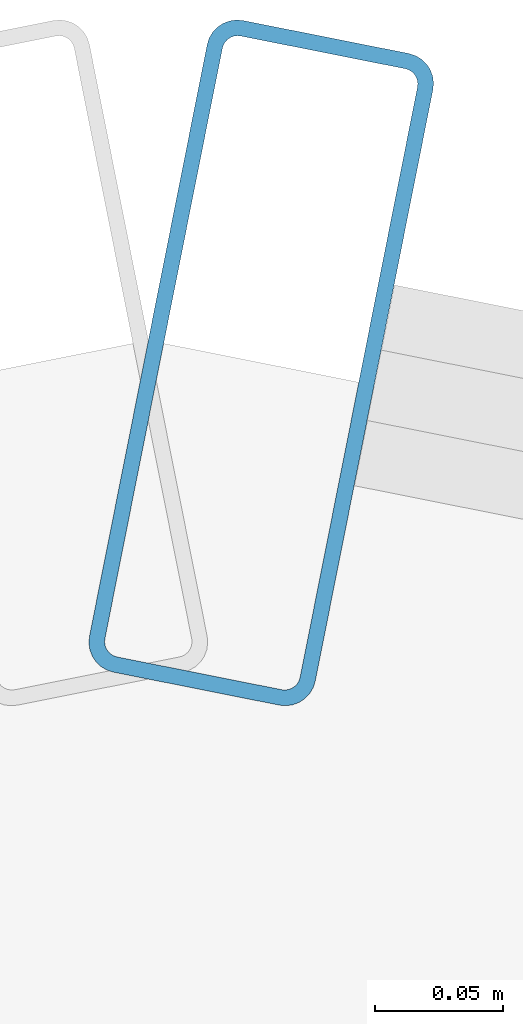
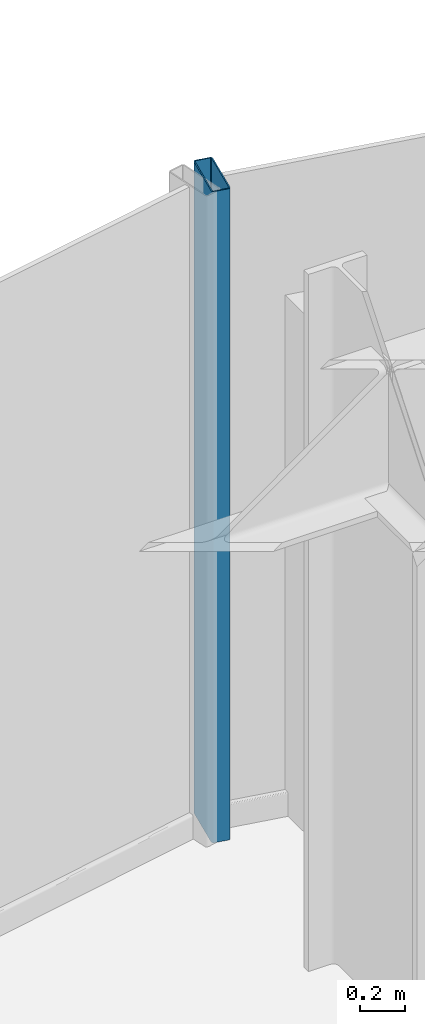
# One storey, part 15 of 26: 1 member, 1 element without a shape of its own.
"""IFC4 building model written with IfcOpenShell, lengths in metres."""

from ifc_helpers import new_model, si_unit, direction, frame, origin, origin_2d, place, context, subcontext, project, spatial, hollow_rectangle, extrude, source, transform, mapped, material, layer, layer_set, material_profile, profile_set, type_object, element, aggregate, save


model = new_model("IFC4")

# Units and contexts
model_context = context("Model", 3, precision=1e-05, world=origin(), true_north=direction((0.0, 1.0)))
body_context = subcontext(model_context, "Body", "Model", "MODEL_VIEW")
ifc_project = project(units=[si_unit("LENGTHUNIT", "METRE"), si_unit("AREAUNIT", "SQUARE_METRE"), si_unit("VOLUMEUNIT", "CUBIC_METRE"), si_unit("PLANEANGLEUNIT", "RADIAN"), si_unit("MASSUNIT", "GRAM", prefix="KILO")], contexts=[model_context])

# Site, building, storey
site_placement = place(None, origin())
site = spatial("IfcSite", under=ifc_project, at=site_placement, CompositionType="ELEMENT")
building_placement = place(site_placement, origin())
building = spatial("IfcBuilding", under=site, at=building_placement, Name="Nefas-Gora Pilgrimage Tower", CompositionType="ELEMENT")
storey_placement = place(building_placement, frame((0.0, 0.0, 106.0)))
storey = spatial("IfcBuildingStorey", under=building, at=storey_placement, Name="L25", CompositionType="ELEMENT", Elevation=106.0)

# Curtain wall, member
ifc_material_1 = material(Name="Dark ceramic-fritted solar-control aluminium-glass curtain wall", Category="aluminium")
ifc_layer = layer(ifc_material_1, 0.219970703125)
ifc_layer_set = layer_set([ifc_layer], Name="Dark ceramic-fritted solar-control aluminium-glass curtain wall")
curtain_wall_type = type_object("IfcCurtainWallType", Name="CW-SYS-5", PredefinedType="NOTDEFINED", material=ifc_layer_set)
curtain_wall_placement = place(storey_placement, origin())
curtain_wall = element("IfcCurtainWall", 1, at=curtain_wall_placement, inside=storey, type_object=curtain_wall_type, Name="L25 Unitised Curtain Wall CW5", PredefinedType="NOTDEFINED")
ifc_material_2 = material(Name="Anodised architectural aluminium", Category="aluminium")
ifc_material_profile = material_profile(ifc_material_2, hollow_rectangle(XDim=0.090087890625, YDim=0.260009765625, WallThickness=0.006103515625, InnerFilletRadius=0.006103515625, OuterFilletRadius=0.011962890625, at=origin_2d()), Name="ALU MULLION 90x260")
ifc_profile_set = profile_set([ifc_material_profile], Name="Anodised architectural aluminium")
member_type = type_object("IfcMemberType", Name="CWM-MUL-5", PredefinedType="MULLION", material=ifc_profile_set)
shared_shape = source(origin(), body_context, "Body", "SweptSolid", [
    extrude(hollow_rectangle(XDim=0.090087890625, YDim=0.260009765625, WallThickness=0.006103515625, InnerFilletRadius=0.006103515625, OuterFilletRadius=0.011962890625, at=origin_2d()), origin(), (0.0, 0.0, 1.0), 3.550048828125),
])
member_placement = place(storey_placement, frame((-2.205810546875, 24.16357421875, 0.0), z_axis=(0.0, 0.0, 1.0), x_axis=(-0.980782896852, 0.195102304554, 0.0)))
member = element("IfcMember", 2, at=member_placement, type_object=member_type, Name="CW5 Mullion 2", PredefinedType="MULLION", context=body_context, shape_type="MappedRepresentation", body=[
    mapped(shared_shape, transform((0.0, 0.0, 0.0), x_axis=(1.0, 0.0, 0.0), y_axis=(0.0, 1.0, 0.0), z_axis=(0.0, 0.0, 1.0), scale=1.0)),
])
aggregate(curtain_wall, [member])

save(model, "model.ifc")
